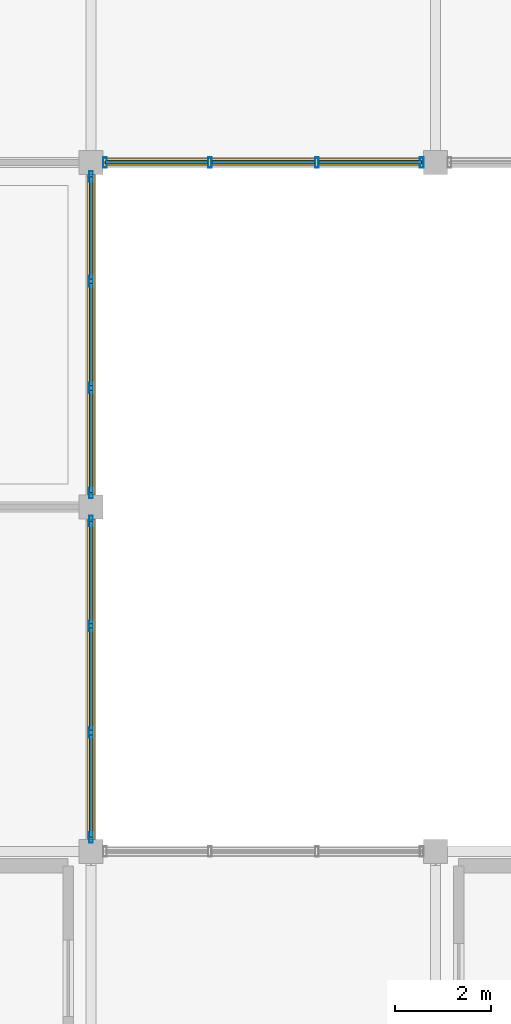
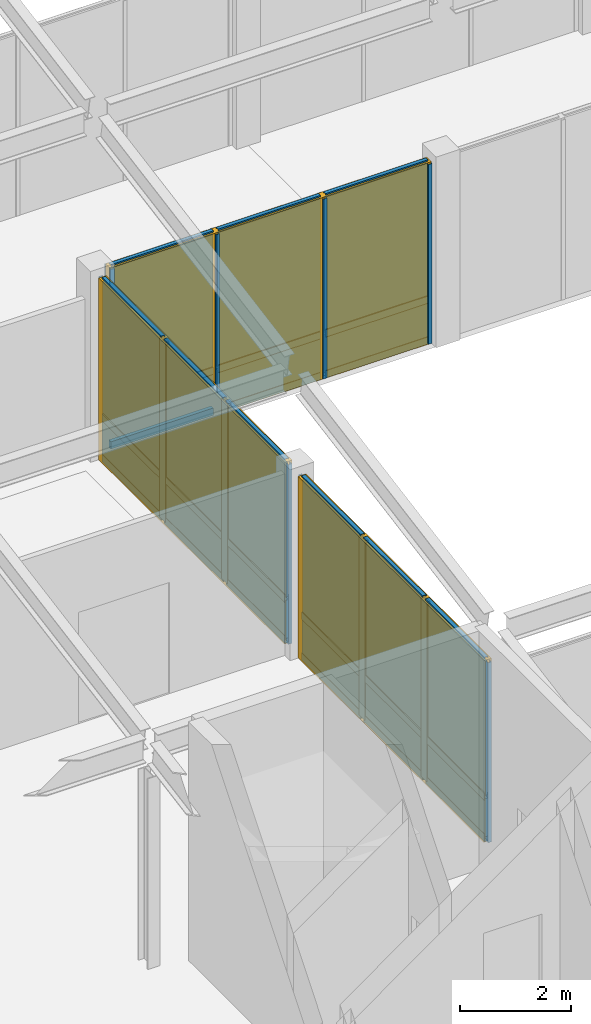
# One storey, part 9 of 16: 39 members, 18 plates, 3 curtain walls.
"""IFC4 building model written with IfcOpenShell, lengths in metres."""

from ifc_helpers import new_model, si_unit, direction, frame, origin, origin_2d, place, context, subcontext, project, spatial, rectangle, hollow_rectangle, extrude, material, layer, layer_set, material_profile, profile_set, type_object, element, aggregate, save


model = new_model("IFC4")

# Units and contexts
model_context = context("Model", 3, precision=1e-05, world=origin(), true_north=direction((0.0, 1.0)))
body_context = subcontext(model_context, "Body", "Model", "MODEL_VIEW")
ifc_project = project(units=[si_unit("LENGTHUNIT", "METRE"), si_unit("AREAUNIT", "SQUARE_METRE"), si_unit("VOLUMEUNIT", "CUBIC_METRE"), si_unit("PLANEANGLEUNIT", "RADIAN"), si_unit("MASSUNIT", "GRAM", prefix="KILO")], contexts=[model_context])

# Member
ifc_material_1 = material(Name="Anodized Aluminium 6063-T6", Category="aluminium")
ifc_material_profile_1 = material_profile(ifc_material_1, hollow_rectangle(XDim=0.074951171875, YDim=0.219970703125, WallThickness=0.0048828125, at=origin_2d()), Name="ALU 75x220x5")
ifc_profile_set_1 = profile_set([ifc_material_profile_1], Name="Anodized Aluminium 6063-T6")
member_type_1 = type_object("IfcMemberType", Name="CWM-75X180", PredefinedType="MULLION", material=ifc_profile_set_1)
site_placement = place(None, origin())
building_placement = place(site_placement, origin())
storey_placement = place(building_placement, frame((0.0, 0.0, 25.800048828125)))
member_1_placement = place(storey_placement, frame((72.0, 100.510009765625, 0.02001953125), z_axis=(0.0, 0.0, 1.0), x_axis=(1.0, 0.0, 0.0)))
member_1 = element("IfcMember", 1, at=member_1_placement, type_object=member_type_1, Name="Curtain wall mullion CW-L07-09-13-E-00", PredefinedType="MULLION", context=body_context, shape_type="SweptSolid", body=[
    extrude(hollow_rectangle(XDim=0.074951171875, YDim=0.219970703125, WallThickness=0.0048828125, at=origin_2d()), origin(), (0.0, 0.0, 1.0), 3.9599609375),
])

member_2_placement = place(storey_placement, frame((72.0, 98.316650390625, 0.02001953125), z_axis=(0.0, 0.0, 1.0), x_axis=(1.0, 0.0, 0.0)))
member_2 = element("IfcMember", 2, at=member_2_placement, type_object=member_type_1, Name="Curtain wall mullion CW-L07-09-13-E-01", PredefinedType="MULLION", context=body_context, shape_type="SweptSolid", body=[
    extrude(hollow_rectangle(XDim=0.074951171875, YDim=0.219970703125, WallThickness=0.0048828125, at=origin_2d()), origin(), (0.0, 0.0, 1.0), 3.9599609375),
])

member_3_placement = place(storey_placement, frame((72.0, 96.083251953125, 0.02001953125), z_axis=(0.0, 0.0, 1.0), x_axis=(1.0, 0.0, 0.0)))
member_3 = element("IfcMember", 3, at=member_3_placement, type_object=member_type_1, Name="Curtain wall mullion CW-L07-09-13-E-02", PredefinedType="MULLION", context=body_context, shape_type="SweptSolid", body=[
    extrude(hollow_rectangle(XDim=0.074951171875, YDim=0.219970703125, WallThickness=0.0048828125, at=origin_2d()), origin(), (0.0, 0.0, 1.0), 3.9599609375),
])

member_4_placement = place(storey_placement, frame((72.0, 93.889892578125, 0.02001953125), z_axis=(0.0, 0.0, 1.0), x_axis=(1.0, 0.0, 0.0)))
member_4 = element("IfcMember", 4, at=member_4_placement, type_object=member_type_1, Name="Curtain wall mullion CW-L07-09-13-E-03", PredefinedType="MULLION", context=body_context, shape_type="SweptSolid", body=[
    extrude(hollow_rectangle(XDim=0.074951171875, YDim=0.219970703125, WallThickness=0.0048828125, at=origin_2d()), origin(), (0.0, 0.0, 1.0), 3.9599609375),
])

member_5_placement = place(storey_placement, frame((72.0, 107.7099609375, 0.02001953125), z_axis=(0.0, 0.0, 1.0), x_axis=(1.0, 0.0, 0.0)))
member_5 = element("IfcMember", 5, at=member_5_placement, type_object=member_type_1, Name="Curtain wall mullion CW-L07-09-14-E-00", PredefinedType="MULLION", context=body_context, shape_type="SweptSolid", body=[
    extrude(hollow_rectangle(XDim=0.074951171875, YDim=0.219970703125, WallThickness=0.0048828125, at=origin_2d()), origin(), (0.0, 0.0, 1.0), 3.9599609375),
])

member_6_placement = place(storey_placement, frame((72.0, 105.5166015625, 0.02001953125), z_axis=(0.0, 0.0, 1.0), x_axis=(1.0, 0.0, 0.0)))
member_6 = element("IfcMember", 6, at=member_6_placement, type_object=member_type_1, Name="Curtain wall mullion CW-L07-09-14-E-01", PredefinedType="MULLION", context=body_context, shape_type="SweptSolid", body=[
    extrude(hollow_rectangle(XDim=0.074951171875, YDim=0.219970703125, WallThickness=0.0048828125, at=origin_2d()), origin(), (0.0, 0.0, 1.0), 3.9599609375),
])

member_7_placement = place(storey_placement, frame((72.0, 103.283203125, 0.02001953125), z_axis=(0.0, 0.0, 1.0), x_axis=(1.0, 0.0, 0.0)))
member_7 = element("IfcMember", 7, at=member_7_placement, type_object=member_type_1, Name="Curtain wall mullion CW-L07-09-14-E-02", PredefinedType="MULLION", context=body_context, shape_type="SweptSolid", body=[
    extrude(hollow_rectangle(XDim=0.074951171875, YDim=0.219970703125, WallThickness=0.0048828125, at=origin_2d()), origin(), (0.0, 0.0, 1.0), 3.9599609375),
])

member_8_placement = place(storey_placement, frame((72.0, 101.090087890625, 0.02001953125), z_axis=(0.0, 0.0, 1.0), x_axis=(1.0, 0.0, 0.0)))
member_8 = element("IfcMember", 8, at=member_8_placement, type_object=member_type_1, Name="Curtain wall mullion CW-L07-09-14-E-03", PredefinedType="MULLION", context=body_context, shape_type="SweptSolid", body=[
    extrude(hollow_rectangle(XDim=0.074951171875, YDim=0.219970703125, WallThickness=0.0048828125, at=origin_2d()), origin(), (0.0, 0.0, 1.0), 3.9599609375),
])

member_9_placement = place(storey_placement, frame((78.909912109375, 108.0, 0.02001953125), z_axis=(0.0, 0.0, 1.0), x_axis=(1.0, 0.0, 0.0)))
member_9 = element("IfcMember", 9, at=member_9_placement, type_object=member_type_1, Name="Curtain wall mullion CW-L07-10-15-S-00", PredefinedType="MULLION", context=body_context, shape_type="SweptSolid", body=[
    extrude(hollow_rectangle(XDim=0.074951171875, YDim=0.219970703125, WallThickness=0.0048828125, at=origin_2d()), origin(), (0.0, 0.0, 1.0), 3.9599609375),
])

member_10_placement = place(storey_placement, frame((76.716796875, 108.0, 0.02001953125), z_axis=(0.0, 0.0, 1.0), x_axis=(1.0, 0.0, 0.0)))
member_10 = element("IfcMember", 10, at=member_10_placement, type_object=member_type_1, Name="Curtain wall mullion CW-L07-10-15-S-01", PredefinedType="MULLION", context=body_context, shape_type="SweptSolid", body=[
    extrude(hollow_rectangle(XDim=0.074951171875, YDim=0.219970703125, WallThickness=0.0048828125, at=origin_2d()), origin(), (0.0, 0.0, 1.0), 3.9599609375),
])

member_11_placement = place(storey_placement, frame((74.4833984375, 108.0, 0.02001953125), z_axis=(0.0, 0.0, 1.0), x_axis=(1.0, 0.0, 0.0)))
member_11 = element("IfcMember", 11, at=member_11_placement, type_object=member_type_1, Name="Curtain wall mullion CW-L07-10-15-S-02", PredefinedType="MULLION", context=body_context, shape_type="SweptSolid", body=[
    extrude(hollow_rectangle(XDim=0.074951171875, YDim=0.219970703125, WallThickness=0.0048828125, at=origin_2d()), origin(), (0.0, 0.0, 1.0), 3.9599609375),
])

member_12_placement = place(storey_placement, frame((72.2900390625, 108.0, 0.02001953125), z_axis=(0.0, 0.0, 1.0), x_axis=(1.0, 0.0, 0.0)))
member_12 = element("IfcMember", 12, at=member_12_placement, type_object=member_type_1, Name="Curtain wall mullion CW-L07-10-15-S-03", PredefinedType="MULLION", context=body_context, shape_type="SweptSolid", body=[
    extrude(hollow_rectangle(XDim=0.074951171875, YDim=0.219970703125, WallThickness=0.0048828125, at=origin_2d()), origin(), (0.0, 0.0, 1.0), 3.9599609375),
])

ifc_material_profile_2 = material_profile(ifc_material_1, hollow_rectangle(XDim=0.074951171875, YDim=0.159912109375, WallThickness=0.00390625, at=origin_2d()), Name="ALU 75x160x4")
ifc_profile_set_2 = profile_set([ifc_material_profile_2], Name="Anodized Aluminium 6063-T6")
member_type_2 = type_object("IfcMemberType", Name="CWT-75X150", PredefinedType="USERDEFINED", material=ifc_profile_set_2)
member_13_placement = place(storey_placement, frame((72.0, 100.5, 0.050048828125), z_axis=(0.0, -1.0, 0.0), x_axis=(1.0, 0.0, 0.0)))
member_13 = element("IfcMember", 13, at=member_13_placement, type_object=member_type_2, Name="Curtain wall transom CW-L07-09-13-E-1.01", ObjectType="TRANSOM", PredefinedType="USERDEFINED", context=body_context, shape_type="SweptSolid", body=[
    extrude(hollow_rectangle(XDim=0.074951171875, YDim=0.159912109375, WallThickness=0.00390625, at=origin_2d()), origin(), (0.0, 0.0, 1.0), 2.13330078125),
])

member_14_placement = place(storey_placement, frame((72.0, 98.2666015625, 0.050048828125), z_axis=(0.0, -1.0, 0.0), x_axis=(1.0, 0.0, 0.0)))
member_14 = element("IfcMember", 14, at=member_14_placement, type_object=member_type_2, Name="Curtain wall transom CW-L07-09-13-E-1.02", ObjectType="TRANSOM", PredefinedType="USERDEFINED", context=body_context, shape_type="SweptSolid", body=[
    extrude(hollow_rectangle(XDim=0.074951171875, YDim=0.159912109375, WallThickness=0.00390625, at=origin_2d()), origin(), (0.0, 0.0, 1.0), 2.13330078125),
])

member_15_placement = place(storey_placement, frame((72.0, 96.033203125, 0.050048828125), z_axis=(0.0, -1.0, 0.0), x_axis=(1.0, 0.0, 0.0)))
member_15 = element("IfcMember", 15, at=member_15_placement, type_object=member_type_2, Name="Curtain wall transom CW-L07-09-13-E-1.03", ObjectType="TRANSOM", PredefinedType="USERDEFINED", context=body_context, shape_type="SweptSolid", body=[
    extrude(hollow_rectangle(XDim=0.074951171875, YDim=0.159912109375, WallThickness=0.00390625, at=origin_2d()), origin(), (0.0, 0.0, 1.0), 2.13330078125),
])

member_16_placement = place(storey_placement, frame((72.0, 100.5, 0.949951171875), z_axis=(0.0, -1.0, 0.0), x_axis=(1.0, 0.0, 0.0)))
member_16 = element("IfcMember", 16, at=member_16_placement, type_object=member_type_2, Name="Curtain wall transom CW-L07-09-13-E-2.01", ObjectType="TRANSOM", PredefinedType="USERDEFINED", context=body_context, shape_type="SweptSolid", body=[
    extrude(hollow_rectangle(XDim=0.074951171875, YDim=0.159912109375, WallThickness=0.00390625, at=origin_2d()), origin(), (0.0, 0.0, 1.0), 2.13330078125),
])

member_17_placement = place(storey_placement, frame((72.0, 98.2666015625, 0.949951171875), z_axis=(0.0, -1.0, 0.0), x_axis=(1.0, 0.0, 0.0)))
member_17 = element("IfcMember", 17, at=member_17_placement, type_object=member_type_2, Name="Curtain wall transom CW-L07-09-13-E-2.02", ObjectType="TRANSOM", PredefinedType="USERDEFINED", context=body_context, shape_type="SweptSolid", body=[
    extrude(hollow_rectangle(XDim=0.074951171875, YDim=0.159912109375, WallThickness=0.00390625, at=origin_2d()), origin(), (0.0, 0.0, 1.0), 2.13330078125),
])

member_18_placement = place(storey_placement, frame((72.0, 96.033203125, 0.949951171875), z_axis=(0.0, -1.0, 0.0), x_axis=(1.0, 0.0, 0.0)))
member_18 = element("IfcMember", 18, at=member_18_placement, type_object=member_type_2, Name="Curtain wall transom CW-L07-09-13-E-2.03", ObjectType="TRANSOM", PredefinedType="USERDEFINED", context=body_context, shape_type="SweptSolid", body=[
    extrude(hollow_rectangle(XDim=0.074951171875, YDim=0.159912109375, WallThickness=0.00390625, at=origin_2d()), origin(), (0.0, 0.0, 1.0), 2.13330078125),
])

member_19_placement = place(storey_placement, frame((72.0, 100.5, 3.949951171875), z_axis=(0.0, -1.0, 0.0), x_axis=(1.0, 0.0, 0.0)))
member_19 = element("IfcMember", 19, at=member_19_placement, type_object=member_type_2, Name="Curtain wall transom CW-L07-09-13-E-3.01", ObjectType="TRANSOM", PredefinedType="USERDEFINED", context=body_context, shape_type="SweptSolid", body=[
    extrude(hollow_rectangle(XDim=0.074951171875, YDim=0.159912109375, WallThickness=0.00390625, at=origin_2d()), origin(), (0.0, 0.0, 1.0), 2.13330078125),
])

member_20_placement = place(storey_placement, frame((72.0, 98.2666015625, 3.949951171875), z_axis=(0.0, -1.0, 0.0), x_axis=(1.0, 0.0, 0.0)))
member_20 = element("IfcMember", 20, at=member_20_placement, type_object=member_type_2, Name="Curtain wall transom CW-L07-09-13-E-3.02", ObjectType="TRANSOM", PredefinedType="USERDEFINED", context=body_context, shape_type="SweptSolid", body=[
    extrude(hollow_rectangle(XDim=0.074951171875, YDim=0.159912109375, WallThickness=0.00390625, at=origin_2d()), origin(), (0.0, 0.0, 1.0), 2.13330078125),
])

member_21_placement = place(storey_placement, frame((72.0, 96.033203125, 3.949951171875), z_axis=(0.0, -1.0, 0.0), x_axis=(1.0, 0.0, 0.0)))
member_21 = element("IfcMember", 21, at=member_21_placement, type_object=member_type_2, Name="Curtain wall transom CW-L07-09-13-E-3.03", ObjectType="TRANSOM", PredefinedType="USERDEFINED", context=body_context, shape_type="SweptSolid", body=[
    extrude(hollow_rectangle(XDim=0.074951171875, YDim=0.159912109375, WallThickness=0.00390625, at=origin_2d()), origin(), (0.0, 0.0, 1.0), 2.13330078125),
])

member_22_placement = place(storey_placement, frame((72.0, 107.699951171875, 0.050048828125), z_axis=(0.0, -1.0, 0.0), x_axis=(1.0, 0.0, 0.0)))
member_22 = element("IfcMember", 22, at=member_22_placement, type_object=member_type_2, Name="Curtain wall transom CW-L07-09-14-E-1.01", ObjectType="TRANSOM", PredefinedType="USERDEFINED", context=body_context, shape_type="SweptSolid", body=[
    extrude(hollow_rectangle(XDim=0.074951171875, YDim=0.159912109375, WallThickness=0.00390625, at=origin_2d()), origin(), (0.0, 0.0, 1.0), 2.13330078125),
])

member_23_placement = place(storey_placement, frame((72.0, 105.466796875, 0.050048828125), z_axis=(0.0, -1.0, 0.0), x_axis=(1.0, 0.0, 0.0)))
member_23 = element("IfcMember", 23, at=member_23_placement, type_object=member_type_2, Name="Curtain wall transom CW-L07-09-14-E-1.02", ObjectType="TRANSOM", PredefinedType="USERDEFINED", context=body_context, shape_type="SweptSolid", body=[
    extrude(hollow_rectangle(XDim=0.074951171875, YDim=0.159912109375, WallThickness=0.00390625, at=origin_2d()), origin(), (0.0, 0.0, 1.0), 2.133544921875),
])

member_24_placement = place(storey_placement, frame((72.0, 103.2333984375, 0.050048828125), z_axis=(0.0, -1.0, 0.0), x_axis=(1.0, 0.0, 0.0)))
member_24 = element("IfcMember", 24, at=member_24_placement, type_object=member_type_2, Name="Curtain wall transom CW-L07-09-14-E-1.03", ObjectType="TRANSOM", PredefinedType="USERDEFINED", context=body_context, shape_type="SweptSolid", body=[
    extrude(hollow_rectangle(XDim=0.074951171875, YDim=0.159912109375, WallThickness=0.00390625, at=origin_2d()), origin(), (0.0, 0.0, 1.0), 2.13330078125),
])

member_25_placement = place(storey_placement, frame((72.0, 107.699951171875, 0.949951171875), z_axis=(0.0, -1.0, 0.0), x_axis=(1.0, 0.0, 0.0)))
member_25 = element("IfcMember", 25, at=member_25_placement, type_object=member_type_2, Name="Curtain wall transom CW-L07-09-14-E-2.01", ObjectType="TRANSOM", PredefinedType="USERDEFINED", context=body_context, shape_type="SweptSolid", body=[
    extrude(hollow_rectangle(XDim=0.074951171875, YDim=0.159912109375, WallThickness=0.00390625, at=origin_2d()), origin(), (0.0, 0.0, 1.0), 2.13330078125),
])

member_26_placement = place(storey_placement, frame((72.0, 105.466796875, 0.949951171875), z_axis=(0.0, -1.0, 0.0), x_axis=(1.0, 0.0, 0.0)))
member_26 = element("IfcMember", 26, at=member_26_placement, type_object=member_type_2, Name="Curtain wall transom CW-L07-09-14-E-2.02", ObjectType="TRANSOM", PredefinedType="USERDEFINED", context=body_context, shape_type="SweptSolid", body=[
    extrude(hollow_rectangle(XDim=0.074951171875, YDim=0.159912109375, WallThickness=0.00390625, at=origin_2d()), origin(), (0.0, 0.0, 1.0), 2.133544921875),
])

member_27_placement = place(storey_placement, frame((72.0, 103.2333984375, 0.949951171875), z_axis=(0.0, -1.0, 0.0), x_axis=(1.0, 0.0, 0.0)))
member_27 = element("IfcMember", 27, at=member_27_placement, type_object=member_type_2, Name="Curtain wall transom CW-L07-09-14-E-2.03", ObjectType="TRANSOM", PredefinedType="USERDEFINED", context=body_context, shape_type="SweptSolid", body=[
    extrude(hollow_rectangle(XDim=0.074951171875, YDim=0.159912109375, WallThickness=0.00390625, at=origin_2d()), origin(), (0.0, 0.0, 1.0), 2.13330078125),
])

member_28_placement = place(storey_placement, frame((72.0, 107.699951171875, 3.949951171875), z_axis=(0.0, -1.0, 0.0), x_axis=(1.0, 0.0, 0.0)))
member_28 = element("IfcMember", 28, at=member_28_placement, type_object=member_type_2, Name="Curtain wall transom CW-L07-09-14-E-3.01", ObjectType="TRANSOM", PredefinedType="USERDEFINED", context=body_context, shape_type="SweptSolid", body=[
    extrude(hollow_rectangle(XDim=0.074951171875, YDim=0.159912109375, WallThickness=0.00390625, at=origin_2d()), origin(), (0.0, 0.0, 1.0), 2.13330078125),
])

member_29_placement = place(storey_placement, frame((72.0, 105.466796875, 3.949951171875), z_axis=(0.0, -1.0, 0.0), x_axis=(1.0, 0.0, 0.0)))
member_29 = element("IfcMember", 29, at=member_29_placement, type_object=member_type_2, Name="Curtain wall transom CW-L07-09-14-E-3.02", ObjectType="TRANSOM", PredefinedType="USERDEFINED", context=body_context, shape_type="SweptSolid", body=[
    extrude(hollow_rectangle(XDim=0.074951171875, YDim=0.159912109375, WallThickness=0.00390625, at=origin_2d()), origin(), (0.0, 0.0, 1.0), 2.133544921875),
])

member_30_placement = place(storey_placement, frame((72.0, 103.2333984375, 3.949951171875), z_axis=(0.0, -1.0, 0.0), x_axis=(1.0, 0.0, 0.0)))
member_30 = element("IfcMember", 30, at=member_30_placement, type_object=member_type_2, Name="Curtain wall transom CW-L07-09-14-E-3.03", ObjectType="TRANSOM", PredefinedType="USERDEFINED", context=body_context, shape_type="SweptSolid", body=[
    extrude(hollow_rectangle(XDim=0.074951171875, YDim=0.159912109375, WallThickness=0.00390625, at=origin_2d()), origin(), (0.0, 0.0, 1.0), 2.13330078125),
])

member_31_placement = place(storey_placement, frame((78.89990234375, 108.0, 0.050048828125), z_axis=(-1.0, 0.0, 0.0), x_axis=(0.0, -1.0, 0.0)))
member_31 = element("IfcMember", 31, at=member_31_placement, type_object=member_type_2, Name="Curtain wall transom CW-L07-10-15-S-1.01", ObjectType="TRANSOM", PredefinedType="USERDEFINED", context=body_context, shape_type="SweptSolid", body=[
    extrude(hollow_rectangle(XDim=0.074951171875, YDim=0.159912109375, WallThickness=0.00390625, at=origin_2d()), origin(), (0.0, 0.0, 1.0), 2.13330078125),
])

member_32_placement = place(storey_placement, frame((76.666748046875, 108.0, 0.050048828125), z_axis=(-1.0, 0.0, 0.0), x_axis=(0.0, -1.0, 0.0)))
member_32 = element("IfcMember", 32, at=member_32_placement, type_object=member_type_2, Name="Curtain wall transom CW-L07-10-15-S-1.02", ObjectType="TRANSOM", PredefinedType="USERDEFINED", context=body_context, shape_type="SweptSolid", body=[
    extrude(hollow_rectangle(XDim=0.074951171875, YDim=0.159912109375, WallThickness=0.00390625, at=origin_2d()), origin(), (0.0, 0.0, 1.0), 2.133544921875),
])

member_33_placement = place(storey_placement, frame((74.433349609375, 108.0, 0.050048828125), z_axis=(-1.0, 0.0, 0.0), x_axis=(0.0, -1.0, 0.0)))
member_33 = element("IfcMember", 33, at=member_33_placement, type_object=member_type_2, Name="Curtain wall transom CW-L07-10-15-S-1.03", ObjectType="TRANSOM", PredefinedType="USERDEFINED", context=body_context, shape_type="SweptSolid", body=[
    extrude(hollow_rectangle(XDim=0.074951171875, YDim=0.159912109375, WallThickness=0.00390625, at=origin_2d()), origin(), (0.0, 0.0, 1.0), 2.13330078125),
])

member_34_placement = place(storey_placement, frame((78.89990234375, 108.0, 0.949951171875), z_axis=(-1.0, 0.0, 0.0), x_axis=(0.0, -1.0, 0.0)))
member_34 = element("IfcMember", 34, at=member_34_placement, type_object=member_type_2, Name="Curtain wall transom CW-L07-10-15-S-2.01", ObjectType="TRANSOM", PredefinedType="USERDEFINED", context=body_context, shape_type="SweptSolid", body=[
    extrude(hollow_rectangle(XDim=0.074951171875, YDim=0.159912109375, WallThickness=0.00390625, at=origin_2d()), origin(), (0.0, 0.0, 1.0), 2.13330078125),
])

member_35_placement = place(storey_placement, frame((76.666748046875, 108.0, 0.949951171875), z_axis=(-1.0, 0.0, 0.0), x_axis=(0.0, -1.0, 0.0)))
member_35 = element("IfcMember", 35, at=member_35_placement, type_object=member_type_2, Name="Curtain wall transom CW-L07-10-15-S-2.02", ObjectType="TRANSOM", PredefinedType="USERDEFINED", context=body_context, shape_type="SweptSolid", body=[
    extrude(hollow_rectangle(XDim=0.074951171875, YDim=0.159912109375, WallThickness=0.00390625, at=origin_2d()), origin(), (0.0, 0.0, 1.0), 2.133544921875),
])

member_36_placement = place(storey_placement, frame((74.433349609375, 108.0, 0.949951171875), z_axis=(-1.0, 0.0, 0.0), x_axis=(0.0, -1.0, 0.0)))
member_36 = element("IfcMember", 36, at=member_36_placement, type_object=member_type_2, Name="Curtain wall transom CW-L07-10-15-S-2.03", ObjectType="TRANSOM", PredefinedType="USERDEFINED", context=body_context, shape_type="SweptSolid", body=[
    extrude(hollow_rectangle(XDim=0.074951171875, YDim=0.159912109375, WallThickness=0.00390625, at=origin_2d()), origin(), (0.0, 0.0, 1.0), 2.13330078125),
])

member_37_placement = place(storey_placement, frame((78.89990234375, 108.0, 3.949951171875), z_axis=(-1.0, 0.0, 0.0), x_axis=(0.0, -1.0, 0.0)))
member_37 = element("IfcMember", 37, at=member_37_placement, type_object=member_type_2, Name="Curtain wall transom CW-L07-10-15-S-3.01", ObjectType="TRANSOM", PredefinedType="USERDEFINED", context=body_context, shape_type="SweptSolid", body=[
    extrude(hollow_rectangle(XDim=0.074951171875, YDim=0.159912109375, WallThickness=0.00390625, at=origin_2d()), origin(), (0.0, 0.0, 1.0), 2.13330078125),
])

member_38_placement = place(storey_placement, frame((76.666748046875, 108.0, 3.949951171875), z_axis=(-1.0, 0.0, 0.0), x_axis=(0.0, -1.0, 0.0)))
member_38 = element("IfcMember", 38, at=member_38_placement, type_object=member_type_2, Name="Curtain wall transom CW-L07-10-15-S-3.02", ObjectType="TRANSOM", PredefinedType="USERDEFINED", context=body_context, shape_type="SweptSolid", body=[
    extrude(hollow_rectangle(XDim=0.074951171875, YDim=0.159912109375, WallThickness=0.00390625, at=origin_2d()), origin(), (0.0, 0.0, 1.0), 2.133544921875),
])

member_39_placement = place(storey_placement, frame((74.433349609375, 108.0, 3.949951171875), z_axis=(-1.0, 0.0, 0.0), x_axis=(0.0, -1.0, 0.0)))
member_39 = element("IfcMember", 39, at=member_39_placement, type_object=member_type_2, Name="Curtain wall transom CW-L07-10-15-S-3.03", ObjectType="TRANSOM", PredefinedType="USERDEFINED", context=body_context, shape_type="SweptSolid", body=[
    extrude(hollow_rectangle(XDim=0.074951171875, YDim=0.159912109375, WallThickness=0.00390625, at=origin_2d()), origin(), (0.0, 0.0, 1.0), 2.13330078125),
])

# Plate
ifc_material_2 = material(Name="Acoustic Laminated Low-E Glazing", Category="glass")
ifc_layer_1 = layer(ifc_material_2, 0.0439453125)
ifc_layer_set_1 = layer_set([ifc_layer_1], Name="Acoustic Laminated Low-E Glazing")
plate_type_1 = type_object("IfcPlateType", Name="CWP-IGU-44", PredefinedType="CURTAIN_PANEL", material=ifc_layer_set_1)
plate_1_placement = place(storey_placement, frame((72.0, 99.433349609375, 0.98974609375), z_axis=(0.0, 0.0, 1.0), x_axis=(0.0, -1.0, 0.0)))
plate_1 = element("IfcPlate", 40, at=plate_1_placement, type_object=plate_type_1, Name="Curtain wall vision glazing CW-L07-09-13-E-01", PredefinedType="CURTAIN_PANEL", context=body_context, shape_type="SweptSolid", body=[
    extrude(rectangle(XDim=2.143310546875, YDim=0.0400390625, at=origin_2d()), origin(), (0.0, 0.0, 1.0), 2.949951171875),
])

plate_2_placement = place(storey_placement, frame((72.0, 97.199951171875, 0.98974609375), z_axis=(0.0, 0.0, 1.0), x_axis=(0.0, -1.0, 0.0)))
plate_2 = element("IfcPlate", 41, at=plate_2_placement, type_object=plate_type_1, Name="Curtain wall vision glazing CW-L07-09-13-E-02", PredefinedType="CURTAIN_PANEL", context=body_context, shape_type="SweptSolid", body=[
    extrude(rectangle(XDim=2.143310546875, YDim=0.0400390625, at=origin_2d()), origin(), (0.0, 0.0, 1.0), 2.949951171875),
])

plate_3_placement = place(storey_placement, frame((72.0, 94.966796875, 0.98974609375), z_axis=(0.0, 0.0, 1.0), x_axis=(0.0, -1.0, 0.0)))
plate_3 = element("IfcPlate", 42, at=plate_3_placement, type_object=plate_type_1, Name="Curtain wall vision glazing CW-L07-09-13-E-03", PredefinedType="CURTAIN_PANEL", context=body_context, shape_type="SweptSolid", body=[
    extrude(rectangle(XDim=2.143310546875, YDim=0.0400390625, at=origin_2d()), origin(), (0.0, 0.0, 1.0), 2.949951171875),
])

plate_4_placement = place(storey_placement, frame((72.0, 106.63330078125, 0.98974609375), z_axis=(0.0, 0.0, 1.0), x_axis=(0.0, -1.0, 0.0)))
plate_4 = element("IfcPlate", 43, at=plate_4_placement, type_object=plate_type_1, Name="Curtain wall vision glazing CW-L07-09-14-E-01", PredefinedType="CURTAIN_PANEL", context=body_context, shape_type="SweptSolid", body=[
    extrude(rectangle(XDim=2.143310546875, YDim=0.0400390625, at=origin_2d()), origin(), (0.0, 0.0, 1.0), 2.949951171875),
])

plate_5_placement = place(storey_placement, frame((72.0, 104.39990234375, 0.98974609375), z_axis=(0.0, 0.0, 1.0), x_axis=(0.0, -1.0, 0.0)))
plate_5 = element("IfcPlate", 44, at=plate_5_placement, type_object=plate_type_1, Name="Curtain wall vision glazing CW-L07-09-14-E-02", PredefinedType="CURTAIN_PANEL", context=body_context, shape_type="SweptSolid", body=[
    extrude(rectangle(XDim=2.143310546875, YDim=0.0400390625, at=origin_2d()), origin(), (0.0, 0.0, 1.0), 2.949951171875),
])

plate_6_placement = place(storey_placement, frame((72.0, 102.166748046875, 0.98974609375), z_axis=(0.0, 0.0, 1.0), x_axis=(0.0, -1.0, 0.0)))
plate_6 = element("IfcPlate", 45, at=plate_6_placement, type_object=plate_type_1, Name="Curtain wall vision glazing CW-L07-09-14-E-03", PredefinedType="CURTAIN_PANEL", context=body_context, shape_type="SweptSolid", body=[
    extrude(rectangle(XDim=2.143310546875, YDim=0.0400390625, at=origin_2d()), origin(), (0.0, 0.0, 1.0), 2.949951171875),
])

plate_7_placement = place(storey_placement, frame((77.833251953125, 108.0, 0.98974609375), z_axis=(0.0, 0.0, 1.0), x_axis=(-1.0, 0.0, 0.0)))
plate_7 = element("IfcPlate", 46, at=plate_7_placement, type_object=plate_type_1, Name="Curtain wall vision glazing CW-L07-10-15-S-01", PredefinedType="CURTAIN_PANEL", context=body_context, shape_type="SweptSolid", body=[
    extrude(rectangle(XDim=2.143310546875, YDim=0.0400390625, at=origin_2d()), origin(), (0.0, 0.0, 1.0), 2.949951171875),
])

plate_8_placement = place(storey_placement, frame((75.60009765625, 108.0, 0.98974609375), z_axis=(0.0, 0.0, 1.0), x_axis=(-1.0, 0.0, 0.0)))
plate_8 = element("IfcPlate", 47, at=plate_8_placement, type_object=plate_type_1, Name="Curtain wall vision glazing CW-L07-10-15-S-02", PredefinedType="CURTAIN_PANEL", context=body_context, shape_type="SweptSolid", body=[
    extrude(rectangle(XDim=2.143310546875, YDim=0.0400390625, at=origin_2d()), origin(), (0.0, 0.0, 1.0), 2.949951171875),
])

plate_9_placement = place(storey_placement, frame((73.36669921875, 108.0, 0.98974609375), z_axis=(0.0, 0.0, 1.0), x_axis=(-1.0, 0.0, 0.0)))
plate_9 = element("IfcPlate", 48, at=plate_9_placement, type_object=plate_type_1, Name="Curtain wall vision glazing CW-L07-10-15-S-03", PredefinedType="CURTAIN_PANEL", context=body_context, shape_type="SweptSolid", body=[
    extrude(rectangle(XDim=2.143310546875, YDim=0.0400390625, at=origin_2d()), origin(), (0.0, 0.0, 1.0), 2.949951171875),
])

ifc_material_3 = material(Name="Insulated Stone-Composite Spandrel", Category="masonry")
ifc_layer_2 = layer(ifc_material_3, 0.068115234375)
ifc_layer_set_2 = layer_set([ifc_layer_2], Name="Insulated Stone-Composite Spandrel")
plate_type_2 = type_object("IfcPlateType", Name="CWP-SPN-68", PredefinedType="CURTAIN_PANEL", material=ifc_layer_set_2)
plate_10_placement = place(storey_placement, frame((72.0, 99.433349609375, 0.080078125), z_axis=(0.0, 0.0, 1.0), x_axis=(0.0, -1.0, 0.0)))
plate_10 = element("IfcPlate", 49, at=plate_10_placement, type_object=plate_type_2, Name="Curtain wall spandrel panel CW-L07-09-13-E-01", PredefinedType="CURTAIN_PANEL", context=body_context, shape_type="SweptSolid", body=[
    extrude(rectangle(XDim=2.143310546875, YDim=0.06005859375, at=origin_2d()), origin(), (0.0, 0.0, 1.0), 0.840087890625),
])

plate_11_placement = place(storey_placement, frame((72.0, 97.199951171875, 0.080078125), z_axis=(0.0, 0.0, 1.0), x_axis=(0.0, -1.0, 0.0)))
plate_11 = element("IfcPlate", 50, at=plate_11_placement, type_object=plate_type_2, Name="Curtain wall spandrel panel CW-L07-09-13-E-02", PredefinedType="CURTAIN_PANEL", context=body_context, shape_type="SweptSolid", body=[
    extrude(rectangle(XDim=2.143310546875, YDim=0.06005859375, at=origin_2d()), origin(), (0.0, 0.0, 1.0), 0.840087890625),
])

plate_12_placement = place(storey_placement, frame((72.0, 94.966796875, 0.080078125), z_axis=(0.0, 0.0, 1.0), x_axis=(0.0, -1.0, 0.0)))
plate_12 = element("IfcPlate", 51, at=plate_12_placement, type_object=plate_type_2, Name="Curtain wall spandrel panel CW-L07-09-13-E-03", PredefinedType="CURTAIN_PANEL", context=body_context, shape_type="SweptSolid", body=[
    extrude(rectangle(XDim=2.143310546875, YDim=0.06005859375, at=origin_2d()), origin(), (0.0, 0.0, 1.0), 0.840087890625),
])

plate_13_placement = place(storey_placement, frame((72.0, 106.63330078125, 0.080078125), z_axis=(0.0, 0.0, 1.0), x_axis=(0.0, -1.0, 0.0)))
plate_13 = element("IfcPlate", 52, at=plate_13_placement, type_object=plate_type_2, Name="Curtain wall spandrel panel CW-L07-09-14-E-01", PredefinedType="CURTAIN_PANEL", context=body_context, shape_type="SweptSolid", body=[
    extrude(rectangle(XDim=2.143310546875, YDim=0.06005859375, at=origin_2d()), origin(), (0.0, 0.0, 1.0), 0.840087890625),
])

plate_14_placement = place(storey_placement, frame((72.0, 104.39990234375, 0.080078125), z_axis=(0.0, 0.0, 1.0), x_axis=(0.0, -1.0, 0.0)))
plate_14 = element("IfcPlate", 53, at=plate_14_placement, type_object=plate_type_2, Name="Curtain wall spandrel panel CW-L07-09-14-E-02", PredefinedType="CURTAIN_PANEL", context=body_context, shape_type="SweptSolid", body=[
    extrude(rectangle(XDim=2.143310546875, YDim=0.06005859375, at=origin_2d()), origin(), (0.0, 0.0, 1.0), 0.840087890625),
])

plate_15_placement = place(storey_placement, frame((72.0, 102.166748046875, 0.080078125), z_axis=(0.0, 0.0, 1.0), x_axis=(0.0, -1.0, 0.0)))
plate_15 = element("IfcPlate", 54, at=plate_15_placement, type_object=plate_type_2, Name="Curtain wall spandrel panel CW-L07-09-14-E-03", PredefinedType="CURTAIN_PANEL", context=body_context, shape_type="SweptSolid", body=[
    extrude(rectangle(XDim=2.143310546875, YDim=0.06005859375, at=origin_2d()), origin(), (0.0, 0.0, 1.0), 0.840087890625),
])

plate_16_placement = place(storey_placement, frame((77.833251953125, 108.0, 0.080078125), z_axis=(0.0, 0.0, 1.0), x_axis=(-1.0, 0.0, 0.0)))
plate_16 = element("IfcPlate", 55, at=plate_16_placement, type_object=plate_type_2, Name="Curtain wall spandrel panel CW-L07-10-15-S-01", PredefinedType="CURTAIN_PANEL", context=body_context, shape_type="SweptSolid", body=[
    extrude(rectangle(XDim=2.143310546875, YDim=0.06005859375, at=origin_2d()), origin(), (0.0, 0.0, 1.0), 0.840087890625),
])

plate_17_placement = place(storey_placement, frame((75.60009765625, 108.0, 0.080078125), z_axis=(0.0, 0.0, 1.0), x_axis=(-1.0, 0.0, 0.0)))
plate_17 = element("IfcPlate", 56, at=plate_17_placement, type_object=plate_type_2, Name="Curtain wall spandrel panel CW-L07-10-15-S-02", PredefinedType="CURTAIN_PANEL", context=body_context, shape_type="SweptSolid", body=[
    extrude(rectangle(XDim=2.143310546875, YDim=0.06005859375, at=origin_2d()), origin(), (0.0, 0.0, 1.0), 0.840087890625),
])

plate_18_placement = place(storey_placement, frame((73.36669921875, 108.0, 0.080078125), z_axis=(0.0, 0.0, 1.0), x_axis=(-1.0, 0.0, 0.0)))
plate_18 = element("IfcPlate", 57, at=plate_18_placement, type_object=plate_type_2, Name="Curtain wall spandrel panel CW-L07-10-15-S-03", PredefinedType="CURTAIN_PANEL", context=body_context, shape_type="SweptSolid", body=[
    extrude(rectangle(XDim=2.143310546875, YDim=0.06005859375, at=origin_2d()), origin(), (0.0, 0.0, 1.0), 0.840087890625),
])

# Site, building, storey
site = spatial("IfcSite", under=ifc_project, at=site_placement, CompositionType="ELEMENT")
building = spatial("IfcBuilding", under=site, at=building_placement, Name="Sillqori Civic Hall", CompositionType="ELEMENT")
storey = spatial("IfcBuildingStorey", under=building, at=storey_placement, Name="L07", CompositionType="ELEMENT", Elevation=25.800048828125)

# Curtain wall
ifc_material_4 = material(Name="Anodized Aluminium Curtain Wall System", Category="aluminium")
curtain_wall_type = type_object("IfcCurtainWallType", Name="CW-OB-340", PredefinedType="NOTDEFINED", material=ifc_material_4)
curtain_wall_1_placement = place(storey_placement, frame((72.0, 97.199951171875, 0.0), z_axis=(0.0, 0.0, 1.0), x_axis=(0.0, -1.0, 0.0)))
curtain_wall_1 = element("IfcCurtainWall", 58, at=curtain_wall_1_placement, inside=storey, type_object=curtain_wall_type, Name="L07 unitised curtain wall CW-L07-09-13-E", PredefinedType="NOTDEFINED", context=body_context, shape_type="SweptSolid", body=[
    extrude(rectangle(XDim=6.699951171875, YDim=0.159912109375, at=origin_2d()), origin(), (0.0, 0.0, 1.0), 4.0),
])

aggregate(curtain_wall_1, [member_1, member_2, member_3, member_4, member_13, member_14, member_15, member_16, member_17, member_18, member_19, member_20, member_21, plate_10, plate_1, plate_11, plate_2, plate_12, plate_3])

curtain_wall_2_placement = place(storey_placement, frame((72.0, 104.39990234375, 0.0), z_axis=(0.0, 0.0, 1.0), x_axis=(0.0, -1.0, 0.0)))
curtain_wall_2 = element("IfcCurtainWall", 59, at=curtain_wall_2_placement, inside=storey, type_object=curtain_wall_type, Name="L07 unitised curtain wall CW-L07-09-14-E", PredefinedType="NOTDEFINED", context=body_context, shape_type="SweptSolid", body=[
    extrude(rectangle(XDim=6.699951171875, YDim=0.159912109375, at=origin_2d()), origin(), (0.0, 0.0, 1.0), 4.0),
])

aggregate(curtain_wall_2, [member_5, member_6, member_7, member_8, member_22, member_23, member_24, member_25, member_26, member_27, member_28, member_29, member_30, plate_13, plate_4, plate_14, plate_5, plate_15, plate_6])

curtain_wall_3_placement = place(storey_placement, frame((75.60009765625, 108.0, 0.0), z_axis=(0.0, 0.0, 1.0), x_axis=(-1.0, 0.0, 0.0)))
curtain_wall_3 = element("IfcCurtainWall", 60, at=curtain_wall_3_placement, inside=storey, type_object=curtain_wall_type, Name="L07 unitised curtain wall CW-L07-10-15-S", PredefinedType="NOTDEFINED", context=body_context, shape_type="SweptSolid", body=[
    extrude(rectangle(XDim=6.699951171875, YDim=0.159912109375, at=origin_2d()), origin(), (0.0, 0.0, 1.0), 4.0),
])

aggregate(curtain_wall_3, [member_9, member_10, member_11, member_12, member_31, member_32, member_33, member_34, member_35, member_36, member_37, member_38, member_39, plate_16, plate_7, plate_17, plate_8, plate_18, plate_9])

save(model, "model.ifc")
